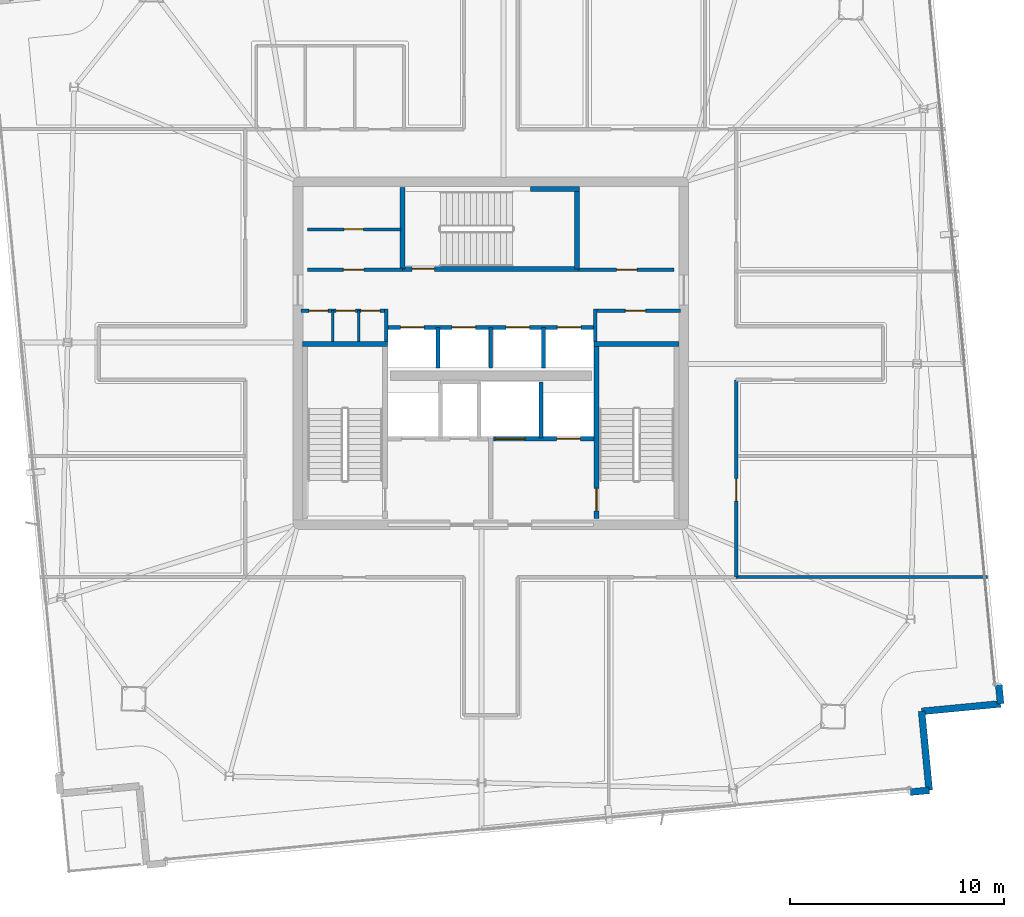
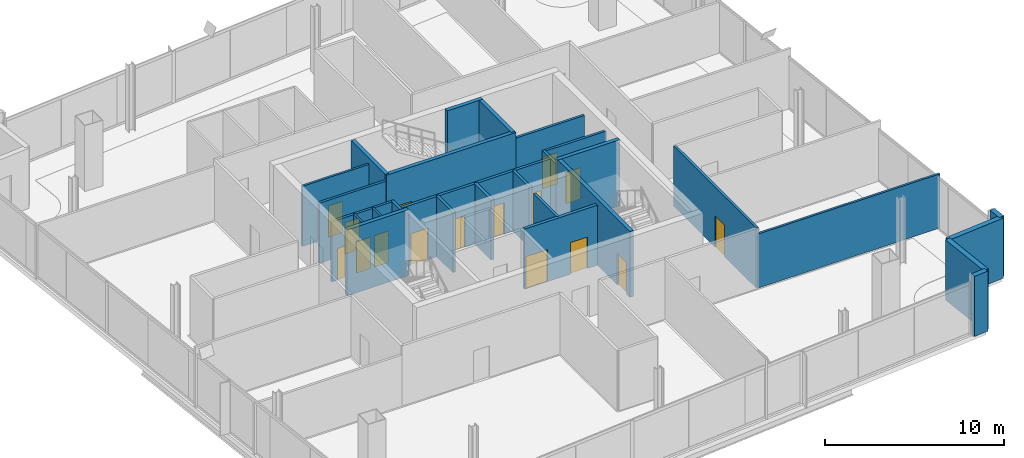
# One storey, part 19 of 24: 28 walls, 16 doors, 16 openings.
"""IFC4 building model written with IfcOpenShell, lengths in metres."""

from ifc_helpers import new_model, si_unit, direction, frame, frame_2d, origin, place, context, subcontext, project, spatial, rectangle, extrude, material, layer, layer_set, type_object, element, fill, save


model = new_model("IFC4")

# Units and contexts
model_context = context("Model", 3, precision=1e-05, world=origin(), true_north=direction((0.0, 1.0)))
body_context = subcontext(model_context, "Body", "Model", "MODEL_VIEW")
ifc_project = project(units=[si_unit("LENGTHUNIT", "METRE"), si_unit("AREAUNIT", "SQUARE_METRE"), si_unit("VOLUMEUNIT", "CUBIC_METRE"), si_unit("PLANEANGLEUNIT", "RADIAN"), si_unit("MASSUNIT", "GRAM", prefix="KILO")], contexts=[model_context])

# Site, building, storey
site_placement = place(None, origin())
site = spatial("IfcSite", under=ifc_project, at=site_placement, CompositionType="ELEMENT")
building_placement = place(site_placement, origin())
building = spatial("IfcBuilding", under=site, at=building_placement, Name="Haldenkirk Collegiate Tower", CompositionType="ELEMENT")
storey_placement = place(building_placement, frame((0.0, 0.0, 347.699951171875)))
storey = spatial("IfcBuildingStorey", under=building, at=storey_placement, Name="L88", CompositionType="ELEMENT", Elevation=347.699951171875)

# Walls
ifc_material_1 = material(Name="Precast concrete f'c 40 MPa", Category="concrete")
ifc_layer_1 = layer(ifc_material_1, 0.320068359375)
ifc_layer_set_1 = layer_set([ifc_layer_1], Name="Precast concrete f'c 40 MPa")
wall_type_1 = type_object("IfcWallType", Name="WL-EXT-TWR-320", PredefinedType="STANDARD", material=ifc_layer_set_1)
for number, where, z_axis, x_axis, name in (
    (1, (59.701416015625, 10.531005859375, 0.0), (0.0, 0.0, 1.0), (0.094962739077, -0.995480827634, 0.0), "L88 precast corner pier SR"),
    (2, (56.454833984375, 5.6005859375, 0.0), (0.0, 0.0, 1.0), (-0.995455142934, -0.095231604026, 0.0), "L88 precast corner pier WL"),
):
    element("IfcWall", number, at=place(storey_placement, frame(where, z_axis=z_axis, x_axis=x_axis)), inside=storey, type_object=wall_type_1, Name=name, PredefinedType="STANDARD", context=body_context, shape_type="SweptSolid", body=[
        extrude(rectangle(XDim=0.89990234375, YDim=0.320068359375, at=frame_2d((0.449951171875, 0.0))), origin(), (0.0, 0.0, 1.0), 4.10009765625),
    ])
wall_1_placement = place(storey_placement, frame((56.103515625, 9.28369140625, 0.0), z_axis=(0.0, 0.0, 1.0), x_axis=(0.094955449528, -0.995481522985, 0.0)))
element("IfcWall", 3, at=wall_1_placement, inside=storey, type_object=wall_type_1, Name="L88 bronze precast notch wall 11", PredefinedType="STANDARD", context=body_context, shape_type="SweptSolid", body=[
    extrude(rectangle(XDim=3.69970703125, YDim=0.320068359375, at=frame_2d((1.849853515625, 0.0))), origin(), (0.0, 0.0, 1.0), 4.10009765625),
])
wall_2_placement = place(storey_placement, frame((59.786865234375, 9.63525390625, 0.0), z_axis=(0.0, 0.0, 1.0), x_axis=(-0.995475879086, -0.095014599714, 0.0)))
element("IfcWall", 4, at=wall_2_placement, inside=storey, type_object=wall_type_1, Name="L88 bronze precast notch wall 12", PredefinedType="STANDARD", context=body_context, shape_type="SweptSolid", body=[
    extrude(rectangle(XDim=3.7001953125, YDim=0.320068359375, at=frame_2d((1.85009765625, 0.0))), origin(), (0.0, 0.0, 1.0), 4.10009765625),
])

# Wall, openings, doors
ifc_material_2 = material(Name="Acoustic fire-rated gypsum partition", Category="concrete")
ifc_layer_2 = layer(ifc_material_2, 0.159912109375)
ifc_layer_set_2 = layer_set([ifc_layer_2], Name="Acoustic fire-rated gypsum partition")
wall_type_2 = type_object("IfcWallType", Name="WL-INT-CORR-160", PredefinedType="PARTITIONING", material=ifc_layer_set_2)
wall_3_placement = place(storey_placement, frame((27.14990234375, 27.97998046875, 0.0), z_axis=(0.0, 0.0, 1.0), x_axis=(1.0, 0.0, 0.0)))
wall_3 = element("IfcWall", 5, at=wall_3_placement, inside=storey, type_object=wall_type_2, Name="L88 interior partition IW-L88-VCSW-N", PredefinedType="PARTITIONING", context=body_context, shape_type="SweptSolid", body=[
    extrude(rectangle(XDim=4.050048828125, YDim=0.159912109375, at=frame_2d((2.02490234375, 0.0))), origin(), (0.0, 0.0, 1.0), 4.10009765625),
])
opening_1_placement = place(wall_3_placement, frame((0.360107421875, 0.0, 0.0)))
opening_1 = element("IfcOpeningElement", 6, at=opening_1_placement, cuts=wall_3, Name="Opening D-11", PredefinedType="OPENING", context=body_context, shape_type="SweptSolid", body=[
    extrude(rectangle(XDim=0.89990234375, YDim=2.14990234375, at=frame_2d((0.449951171875, 1.074951171875))), frame((0.0, 0.08984375, 0.0), z_axis=(0.0, -1.0, 0.0), x_axis=(1.0, 0.0, 0.0)), (0.0, 0.0, 1.0), 0.179931640625),
])
opening_2_placement = place(wall_3_placement, frame((1.6298828125, 0.0, 0.0)))
opening_2 = element("IfcOpeningElement", 7, at=opening_2_placement, cuts=wall_3, Name="Opening D-11", PredefinedType="OPENING", context=body_context, shape_type="SweptSolid", body=[
    extrude(rectangle(XDim=0.89990234375, YDim=2.14990234375, at=frame_2d((0.449951171875, 1.074951171875))), frame((0.0, 0.08984375, 0.0), z_axis=(0.0, -1.0, 0.0), x_axis=(1.0, 0.0, 0.0)), (0.0, 0.0, 1.0), 0.179931640625),
])
opening_3_placement = place(wall_3_placement, frame((2.78759765625, 0.0, 0.0)))
opening_3 = element("IfcOpeningElement", 8, at=opening_3_placement, cuts=wall_3, Name="Opening D-11", PredefinedType="OPENING", context=body_context, shape_type="SweptSolid", body=[
    extrude(rectangle(XDim=0.89990234375, YDim=2.14990234375, at=frame_2d((0.449951171875, 1.074951171875))), frame((0.0, 0.08984375, 0.0), z_axis=(0.0, -1.0, 0.0), x_axis=(1.0, 0.0, 0.0)), (0.0, 0.0, 1.0), 0.179931640625),
])
ifc_material_3 = material(Name="Solid-core architectural oak fire door", Category="wood")
ifc_layer_3 = layer(ifc_material_3, 0.06005859375)
ifc_layer_set_3 = layer_set([ifc_layer_3], Name="Solid-core architectural oak fire door")
door_type_1 = type_object("IfcDoorType", Name="DR-INT-FD60-900", OperationType="NOTDEFINED", PredefinedType="DOOR", material=ifc_layer_set_3)
door_1_placement = place(opening_1_placement, origin())
door_1 = element("IfcDoor", 9, at=door_1_placement, inside=storey, type_object=door_type_1, Name="L88 core study booth door", OperationType="SINGLE_SWING_LEFT", OverallHeight=2.14990234375, OverallWidth=0.89990234375, PredefinedType="DOOR", context=body_context, shape_type="SweptSolid", body=[
    extrude(rectangle(XDim=0.89990234375, YDim=2.14990234375, at=frame_2d((0.449951171875, 1.074951171875))), frame((0.0, 0.02490234375, 0.0), z_axis=(0.0, -1.0, 0.0), x_axis=(1.0, 0.0, 0.0)), (0.0, 0.0, 1.0), 0.050048828125),
])
fill(opening_1, door_1)
door_2_placement = place(opening_2_placement, origin())
door_2 = element("IfcDoor", 10, at=door_2_placement, inside=storey, type_object=door_type_1, Name="L88 core cleaners door", OperationType="SINGLE_SWING_RIGHT", OverallHeight=2.14990234375, OverallWidth=0.89990234375, PredefinedType="DOOR", context=body_context, shape_type="SweptSolid", body=[
    extrude(rectangle(XDim=0.89990234375, YDim=2.14990234375, at=frame_2d((0.449951171875, 1.074951171875))), frame((0.0, 0.02490234375, 0.0), z_axis=(0.0, -1.0, 0.0), x_axis=(1.0, 0.0, 0.0)), (0.0, 0.0, 1.0), 0.050048828125),
])
fill(opening_2, door_2)
door_3_placement = place(opening_3_placement, origin())
door_3 = element("IfcDoor", 11, at=door_3_placement, inside=storey, type_object=door_type_1, Name="L88 core stationery door", OperationType="SINGLE_SWING_LEFT", OverallHeight=2.14990234375, OverallWidth=0.89990234375, PredefinedType="DOOR", context=body_context, shape_type="SweptSolid", body=[
    extrude(rectangle(XDim=0.89990234375, YDim=2.14990234375, at=frame_2d((0.449951171875, 1.074951171875))), frame((0.0, 0.02490234375, 0.0), z_axis=(0.0, -1.0, 0.0), x_axis=(1.0, 0.0, 0.0)), (0.0, 0.0, 1.0), 0.050048828125),
])
fill(opening_3, door_3)

# Wall
wall_4_placement = place(storey_placement, frame((31.1201171875, 26.5400390625, 0.0), z_axis=(0.0, 0.0, 1.0), x_axis=(0.0, 1.0, 0.0)))
element("IfcWall", 12, at=wall_4_placement, inside=storey, type_object=wall_type_2, Name="L88 interior partition IW-L88-VCSW-E", PredefinedType="PARTITIONING", context=body_context, shape_type="SweptSolid", body=[
    extrude(rectangle(XDim=1.510009765625, YDim=0.159912109375, at=frame_2d((0.7548828125, 0.0))), origin(), (0.0, 0.0, 1.0), 4.10009765625),
])

# Wall, opening, door
wall_5_placement = place(storey_placement, frame((40.800048828125, 27.97998046875, 0.0), z_axis=(0.0, 0.0, 1.0), x_axis=(1.0, 0.0, 0.0)))
wall_5 = element("IfcWall", 13, at=wall_5_placement, inside=storey, type_object=wall_type_2, Name="L88 interior partition IW-L88-VCSE-N", PredefinedType="PARTITIONING", context=body_context, shape_type="SweptSolid", body=[
    extrude(rectangle(XDim=4.050048828125, YDim=0.159912109375, at=frame_2d((2.02490234375, 0.0))), origin(), (0.0, 0.0, 1.0), 4.10009765625),
])
opening_4_placement = place(wall_5_placement, frame((1.47509765625, 0.0, 0.0)))
opening_4 = element("IfcOpeningElement", 14, at=opening_4_placement, cuts=wall_5, Name="Opening D-10", PredefinedType="OPENING", context=body_context, shape_type="SweptSolid", body=[
    extrude(rectangle(XDim=0.949951171875, YDim=2.14990234375, at=frame_2d((0.47509765625, 1.074951171875))), frame((0.0, 0.08984375, 0.0), z_axis=(0.0, -1.0, 0.0), x_axis=(1.0, 0.0, 0.0)), (0.0, 0.0, 1.0), 0.179931640625),
])
ifc_layer_4 = layer(ifc_material_3, 0.06005859375)
ifc_layer_set_4 = layer_set([ifc_layer_4], Name="Solid-core architectural oak fire door")
door_type_2 = type_object("IfcDoorType", Name="DR-INT-FD60-950", OperationType="NOTDEFINED", PredefinedType="DOOR", material=ifc_layer_set_4)
door_4_placement = place(opening_4_placement, origin())
door_4 = element("IfcDoor", 15, at=door_4_placement, inside=storey, type_object=door_type_2, Name="L88 core archive vault door", OperationType="SINGLE_SWING_RIGHT", OverallHeight=2.14990234375, OverallWidth=0.949951171875, PredefinedType="DOOR", context=body_context, shape_type="SweptSolid", body=[
    extrude(rectangle(XDim=0.949951171875, YDim=2.14990234375, at=frame_2d((0.47509765625, 1.074951171875))), frame((0.0, 0.02490234375, 0.0), z_axis=(0.0, -1.0, 0.0), x_axis=(1.0, 0.0, 0.0)), (0.0, 0.0, 1.0), 0.050048828125),
])
fill(opening_4, door_4)

# Wall
wall_6_placement = place(storey_placement, frame((40.8798828125, 26.5400390625, 0.0), z_axis=(0.0, 0.0, 1.0), x_axis=(0.0, 1.0, 0.0)))
element("IfcWall", 16, at=wall_6_placement, inside=storey, type_object=wall_type_2, Name="L88 interior partition IW-L88-VCSE-W", PredefinedType="PARTITIONING", context=body_context, shape_type="SweptSolid", body=[
    extrude(rectangle(XDim=1.510009765625, YDim=0.159912109375, at=frame_2d((0.7548828125, 0.0))), origin(), (0.0, 0.0, 1.0), 4.10009765625),
])

# Wall, opening, door
wall_7_placement = place(storey_placement, frame((27.449951171875, 29.89990234375, 0.0), z_axis=(0.0, 0.0, 1.0), x_axis=(1.0, 0.0, 0.0)))
wall_7 = element("IfcWall", 17, at=wall_7_placement, inside=storey, type_object=wall_type_2, Name="L88 interior partition IW-L88-PLS", PredefinedType="PARTITIONING", context=body_context, shape_type="SweptSolid", body=[
    extrude(rectangle(XDim=4.429931640625, YDim=0.159912109375, at=frame_2d((2.21484375, 0.0))), origin(), (0.0, 0.0, 1.0), 4.10009765625),
])
opening_5_placement = place(wall_7_placement, frame((1.675048828125, 0.0, 0.0)))
opening_5 = element("IfcOpeningElement", 18, at=opening_5_placement, cuts=wall_7, Name="Opening D-10", PredefinedType="OPENING", context=body_context, shape_type="SweptSolid", body=[
    extrude(rectangle(XDim=0.949951171875, YDim=2.14990234375, at=frame_2d((0.47509765625, 1.074951171875))), frame((0.0, 0.08984375, 0.0), z_axis=(0.0, -1.0, 0.0), x_axis=(1.0, 0.0, 0.0)), (0.0, 0.0, 1.0), 0.179931640625),
])
door_5_placement = place(opening_5_placement, origin())
door_5 = element("IfcDoor", 19, at=door_5_placement, inside=storey, type_object=door_type_2, Name="L88 consultation door", OperationType="SINGLE_SWING_LEFT", OverallHeight=2.14990234375, OverallWidth=0.949951171875, PredefinedType="DOOR", context=body_context, shape_type="SweptSolid", body=[
    extrude(rectangle(XDim=0.949951171875, YDim=2.14990234375, at=frame_2d((0.47509765625, 1.074951171875))), frame((0.0, 0.02490234375, 0.0), z_axis=(0.0, -1.0, 0.0), x_axis=(1.0, 0.0, 0.0)), (0.0, 0.0, 1.0), 0.050048828125),
])
fill(opening_5, door_5)

wall_8_placement = place(storey_placement, frame((40.1201171875, 29.89990234375, 0.0), z_axis=(0.0, 0.0, 1.0), x_axis=(1.0, 0.0, 0.0)))
wall_8 = element("IfcWall", 20, at=wall_8_placement, inside=storey, type_object=wall_type_2, Name="L88 interior partition IW-L88-PMS", PredefinedType="PARTITIONING", context=body_context, shape_type="SweptSolid", body=[
    extrude(rectangle(XDim=4.429931640625, YDim=0.159912109375, at=frame_2d((2.21484375, 0.0))), origin(), (0.0, 0.0, 1.0), 4.10009765625),
])
opening_6_placement = place(wall_8_placement, frame((1.7548828125, 0.0, 0.0)))
opening_6 = element("IfcOpeningElement", 21, at=opening_6_placement, cuts=wall_8, Name="Opening D-10", PredefinedType="OPENING", context=body_context, shape_type="SweptSolid", body=[
    extrude(rectangle(XDim=0.949951171875, YDim=2.14990234375, at=frame_2d((0.47509765625, 1.074951171875))), frame((0.0, 0.08984375, 0.0), z_axis=(0.0, -1.0, 0.0), x_axis=(1.0, 0.0, 0.0)), (0.0, 0.0, 1.0), 0.179931640625),
])
door_6_placement = place(opening_6_placement, origin())
door_6 = element("IfcDoor", 22, at=door_6_placement, inside=storey, type_object=door_type_2, Name="L88 reference archive door", OperationType="SINGLE_SWING_LEFT", OverallHeight=2.14990234375, OverallWidth=0.949951171875, PredefinedType="DOOR", context=body_context, shape_type="SweptSolid", body=[
    extrude(rectangle(XDim=0.949951171875, YDim=2.14990234375, at=frame_2d((0.47509765625, 1.074951171875))), frame((0.0, 0.02490234375, 0.0), z_axis=(0.0, -1.0, 0.0), x_axis=(1.0, 0.0, 0.0)), (0.0, 0.0, 1.0), 0.050048828125),
])
fill(opening_6, door_6)

wall_9_placement = place(storey_placement, frame((47.449951171875, 15.550048828125, 0.0), z_axis=(0.0, 0.0, 1.0), x_axis=(0.0, 1.0, 0.0)))
wall_9 = element("IfcWall", 23, at=wall_9_placement, inside=storey, type_object=wall_type_2, Name="L88 interior partition IW-L88-CE1", PredefinedType="PARTITIONING", context=body_context, shape_type="SweptSolid", body=[
    extrude(rectangle(XDim=9.199951171875, YDim=0.159912109375, at=frame_2d((4.60009765625, 0.0))), origin(), (0.0, 0.0, 1.0), 4.10009765625),
])
opening_7_placement = place(wall_9_placement, frame((3.54296875, 0.0, 0.0)))
opening_7 = element("IfcOpeningElement", 24, at=opening_7_placement, cuts=wall_9, Name="Opening D-09", PredefinedType="OPENING", context=body_context, shape_type="SweptSolid", body=[
    extrude(rectangle(XDim=1.050048828125, YDim=2.14990234375, at=frame_2d((0.52490234375, 1.074951171875))), frame((0.0, 0.08984375, 0.0), z_axis=(0.0, -1.0, 0.0), x_axis=(1.0, 0.0, 0.0)), (0.0, 0.0, 1.0), 0.179931640625),
])
ifc_layer_5 = layer(ifc_material_3, 0.06005859375)
ifc_layer_set_5 = layer_set([ifc_layer_5], Name="Solid-core architectural oak fire door")
door_type_3 = type_object("IfcDoorType", Name="DR-INT-FD60-1050", OperationType="NOTDEFINED", PredefinedType="DOOR", material=ifc_layer_set_5)
door_7_placement = place(opening_7_placement, origin())
door_7 = element("IfcDoor", 25, at=door_7_placement, inside=storey, type_object=door_type_3, Name="L88 Campus Design Shop 8 door", OperationType="SINGLE_SWING_RIGHT", OverallHeight=2.14990234375, OverallWidth=1.050048828125, PredefinedType="DOOR", context=body_context, shape_type="SweptSolid", body=[
    extrude(rectangle(XDim=1.050048828125, YDim=2.14990234375, at=frame_2d((0.52490234375, 1.074951171875))), frame((0.0, 0.02490234375, 0.0), z_axis=(0.0, -1.0, 0.0), x_axis=(1.0, 0.0, 0.0)), (0.0, 0.0, 1.0), 0.050048828125),
])
fill(opening_7, door_7)

ifc_layer_6 = layer(ifc_material_2, 0.139892578125)
ifc_layer_set_6 = layer_set([ifc_layer_6], Name="Acoustic fire-rated gypsum partition")
wall_type_3 = type_object("IfcWallType", Name="WL-INT-DIV-140", PredefinedType="PARTITIONING", material=ifc_layer_set_6)
wall_10_placement = place(storey_placement, frame((27.449951171875, 31.780029296875, 0.0), z_axis=(0.0, 0.0, 1.0), x_axis=(1.0, 0.0, 0.0)))
wall_10 = element("IfcWall", 26, at=wall_10_placement, inside=storey, type_object=wall_type_3, Name="L88 interior partition IW-L88-PLDIVH", PredefinedType="PARTITIONING", context=body_context, shape_type="SweptSolid", body=[
    extrude(rectangle(XDim=4.35009765625, YDim=0.139892578125, at=frame_2d((2.175048828125, 0.0))), origin(), (0.0, 0.0, 1.0), 4.10009765625),
])
opening_8_placement = place(wall_10_placement, frame((1.699951171875, 0.0, 0.0)))
opening_8 = element("IfcOpeningElement", 27, at=opening_8_placement, cuts=wall_10, Name="Opening D-13", PredefinedType="OPENING", context=body_context, shape_type="SweptSolid", body=[
    extrude(rectangle(XDim=0.89990234375, YDim=2.14990234375, at=frame_2d((0.449951171875, 1.074951171875))), frame((0.0, 0.079833984375, 0.0), z_axis=(0.0, -1.0, 0.0), x_axis=(1.0, 0.0, 0.0)), (0.0, 0.0, 1.0), 0.159912109375),
])
ifc_layer_7 = layer(ifc_material_3, 0.06005859375)
ifc_layer_set_7 = layer_set([ifc_layer_7], Name="Solid-core architectural oak fire door")
door_type_4 = type_object("IfcDoorType", Name="DR-INT-STD-900", OperationType="NOTDEFINED", PredefinedType="DOOR", material=ifc_layer_set_7)
door_8_placement = place(opening_8_placement, origin())
door_8 = element("IfcDoor", 28, at=door_8_placement, inside=storey, type_object=door_type_4, Name="L88 folio vault door", OperationType="SINGLE_SWING_RIGHT", OverallHeight=2.14990234375, OverallWidth=0.89990234375, PredefinedType="DOOR", context=body_context, shape_type="SweptSolid", body=[
    extrude(rectangle(XDim=0.89990234375, YDim=2.14990234375, at=frame_2d((0.449951171875, 1.074951171875))), frame((0.0, 0.02490234375, 0.0), z_axis=(0.0, -1.0, 0.0), x_axis=(1.0, 0.0, 0.0)), (0.0, 0.0, 1.0), 0.050048828125),
])
fill(opening_8, door_8)

# Walls
wall_11_placement = place(storey_placement, frame((47.449951171875, 15.550048828125, 0.0), z_axis=(0.0, 0.0, 1.0), x_axis=(1.0, 0.0, 0.0)))
element("IfcWall", 29, at=wall_11_placement, inside=storey, type_object=wall_type_3, Name="L88 interior partition IW-L88-BES", PredefinedType="PARTITIONING", context=body_context, shape_type="SweptSolid", body=[
    extrude(rectangle(XDim=11.732421875, YDim=0.139892578125, at=frame_2d((5.8662109375, 0.0))), origin(), (0.0, 0.0, 1.0), 3.68896484375),
])
ifc_material_4 = material(Name="Fire-rated gypsum shaftboard assembly", Category="concrete")
ifc_layer_8 = layer(ifc_material_4, 0.179931640625)
ifc_layer_set_8 = layer_set([ifc_layer_8], Name="Fire-rated gypsum shaftboard assembly")
wall_type_4 = type_object("IfcWallType", Name="WL-INT-SHAFT-180", PredefinedType="PARTITIONING", material=ifc_layer_set_8)
wall_12_placement = place(storey_placement, frame((38.35009765625, 22.050048828125, 0.0), z_axis=(0.0, 0.0, 1.0), x_axis=(0.0, 1.0, 0.0)))
element("IfcWall", 30, at=wall_12_placement, inside=storey, type_object=wall_type_4, Name="L88 interior partition IW-L88-GL1E", PredefinedType="PARTITIONING", context=body_context, shape_type="SweptSolid", body=[
    extrude(rectangle(XDim=2.599853515625, YDim=0.179931640625, at=frame_2d((1.2998046875, 0.0))), origin(), (0.0, 0.0, 1.0), 4.10009765625),
])

# Wall, openings, doors
wall_13_placement = place(storey_placement, frame((31.199951171875, 27.199951171875, 0.0), z_axis=(0.0, 0.0, 1.0), x_axis=(1.0, 0.0, 0.0)))
wall_13 = element("IfcWall", 31, at=wall_13_placement, inside=storey, type_object=wall_type_4, Name="L88 interior partition IW-L88-PHN", PredefinedType="PARTITIONING", context=body_context, shape_type="SweptSolid", body=[
    extrude(rectangle(XDim=9.60009765625, YDim=0.179931640625, at=frame_2d((4.800048828125, 0.0))), origin(), (0.0, 0.0, 1.0), 4.10009765625),
])
opening_9_placement = place(wall_13_placement, frame((0.590087890625, 0.0, 0.0)))
opening_9 = element("IfcOpeningElement", 32, at=opening_9_placement, cuts=wall_13, Name="Opening LD-11", PredefinedType="OPENING", context=body_context, shape_type="SweptSolid", body=[
    extrude(rectangle(XDim=1.10009765625, YDim=2.14990234375, at=frame_2d((0.550048828125, 1.074951171875))), frame((0.0, 0.099853515625, 0.0), z_axis=(0.0, -1.0, 0.0), x_axis=(1.0, 0.0, 0.0)), (0.0, 0.0, 1.0), 0.199951171875),
])
opening_10_placement = place(wall_13_placement, frame((2.989990234375, 0.0, 0.0)))
opening_10 = element("IfcOpeningElement", 33, at=opening_10_placement, cuts=wall_13, Name="Opening LD-11", PredefinedType="OPENING", context=body_context, shape_type="SweptSolid", body=[
    extrude(rectangle(XDim=1.10009765625, YDim=2.14990234375, at=frame_2d((0.550048828125, 1.074951171875))), frame((0.0, 0.099853515625, 0.0), z_axis=(0.0, -1.0, 0.0), x_axis=(1.0, 0.0, 0.0)), (0.0, 0.0, 1.0), 0.199951171875),
])
opening_11_placement = place(wall_13_placement, frame((5.510009765625, 0.0, 0.0)))
opening_11 = element("IfcOpeningElement", 34, at=opening_11_placement, cuts=wall_13, Name="Opening LD-11", PredefinedType="OPENING", context=body_context, shape_type="SweptSolid", body=[
    extrude(rectangle(XDim=1.10009765625, YDim=2.14990234375, at=frame_2d((0.550048828125, 1.074951171875))), frame((0.0, 0.099853515625, 0.0), z_axis=(0.0, -1.0, 0.0), x_axis=(1.0, 0.0, 0.0)), (0.0, 0.0, 1.0), 0.199951171875),
])
opening_12_placement = place(wall_13_placement, frame((7.909912109375, 0.0, 0.0)))
opening_12 = element("IfcOpeningElement", 35, at=opening_12_placement, cuts=wall_13, Name="Opening LD-11", PredefinedType="OPENING", context=body_context, shape_type="SweptSolid", body=[
    extrude(rectangle(XDim=1.10009765625, YDim=2.14990234375, at=frame_2d((0.550048828125, 1.074951171875))), frame((0.0, 0.099853515625, 0.0), z_axis=(0.0, -1.0, 0.0), x_axis=(1.0, 0.0, 0.0)), (0.0, 0.0, 1.0), 0.199951171875),
])
ifc_material_5 = material(Name="Brushed architectural stainless steel", Category="steel")
ifc_layer_9 = layer(ifc_material_5, 0.06005859375)
ifc_layer_set_9 = layer_set([ifc_layer_9], Name="Brushed architectural stainless steel")
door_type_5 = type_object("IfcDoorType", Name="LD-PASS-1100", OperationType="NOTDEFINED", PredefinedType="DOOR", material=ifc_layer_set_9)
door_9_placement = place(opening_9_placement, origin())
door_9 = element("IfcDoor", 36, at=door_9_placement, inside=storey, type_object=door_type_5, Name="L88 Elevator PH1 sliding landing door", OperationType="SLIDING_TO_LEFT", OverallHeight=2.14990234375, OverallWidth=1.10009765625, PredefinedType="DOOR", context=body_context, shape_type="SweptSolid", body=[
    extrude(rectangle(XDim=1.10009765625, YDim=2.14990234375, at=frame_2d((0.550048828125, 1.074951171875))), frame((0.0, 0.02490234375, 0.0), z_axis=(0.0, -1.0, 0.0), x_axis=(1.0, 0.0, 0.0)), (0.0, 0.0, 1.0), 0.050048828125),
])
fill(opening_9, door_9)
door_10_placement = place(opening_10_placement, origin())
door_10 = element("IfcDoor", 37, at=door_10_placement, inside=storey, type_object=door_type_5, Name="L88 Elevator PH2 sliding landing door", OperationType="SLIDING_TO_LEFT", OverallHeight=2.14990234375, OverallWidth=1.10009765625, PredefinedType="DOOR", context=body_context, shape_type="SweptSolid", body=[
    extrude(rectangle(XDim=1.10009765625, YDim=2.14990234375, at=frame_2d((0.550048828125, 1.074951171875))), frame((0.0, 0.02490234375, 0.0), z_axis=(0.0, -1.0, 0.0), x_axis=(1.0, 0.0, 0.0)), (0.0, 0.0, 1.0), 0.050048828125),
])
fill(opening_10, door_10)
door_11_placement = place(opening_11_placement, origin())
door_11 = element("IfcDoor", 38, at=door_11_placement, inside=storey, type_object=door_type_5, Name="L88 Elevator PH3 sliding landing door", OperationType="SLIDING_TO_LEFT", OverallHeight=2.14990234375, OverallWidth=1.10009765625, PredefinedType="DOOR", context=body_context, shape_type="SweptSolid", body=[
    extrude(rectangle(XDim=1.10009765625, YDim=2.14990234375, at=frame_2d((0.550048828125, 1.074951171875))), frame((0.0, 0.02490234375, 0.0), z_axis=(0.0, -1.0, 0.0), x_axis=(1.0, 0.0, 0.0)), (0.0, 0.0, 1.0), 0.050048828125),
])
fill(opening_11, door_11)
door_12_placement = place(opening_12_placement, origin())
door_12 = element("IfcDoor", 39, at=door_12_placement, inside=storey, type_object=door_type_5, Name="L88 Elevator PH4 sliding landing door", OperationType="SLIDING_TO_LEFT", OverallHeight=2.14990234375, OverallWidth=1.10009765625, PredefinedType="DOOR", context=body_context, shape_type="SweptSolid", body=[
    extrude(rectangle(XDim=1.10009765625, YDim=2.14990234375, at=frame_2d((0.550048828125, 1.074951171875))), frame((0.0, 0.02490234375, 0.0), z_axis=(0.0, -1.0, 0.0), x_axis=(1.0, 0.0, 0.0)), (0.0, 0.0, 1.0), 0.050048828125),
])
fill(opening_12, door_12)

# Walls
for number, where, z_axis, x_axis, name in (
    (40, (33.5400390625, 25.300048828125, 0.0), (0.0, 0.0, 1.0), (0.0, 1.0, 0.0), "L88 interior partition IW-L88-PHV1"),
    (41, (36.0, 25.300048828125, 0.0), (0.0, 0.0, 1.0), (0.0, 1.0, 0.0), "L88 interior partition IW-L88-PHV2"),
    (42, (38.4599609375, 25.300048828125, 0.0), (0.0, 0.0, 1.0), (0.0, 1.0, 0.0), "L88 interior partition IW-L88-PHV3"),
):
    element("IfcWall", number, at=place(storey_placement, frame(where, z_axis=z_axis, x_axis=x_axis)), inside=storey, type_object=wall_type_4, Name=name, PredefinedType="PARTITIONING", context=body_context, shape_type="SweptSolid", body=[
        extrude(rectangle(XDim=1.89990234375, YDim=0.179931640625, at=frame_2d((0.949951171875, 0.0))), origin(), (0.0, 0.0, 1.0), 4.10009765625),
    ])

# Wall, openings, doors
ifc_layer_10 = layer(ifc_material_4, 0.199951171875)
ifc_layer_set_10 = layer_set([ifc_layer_10], Name="Fire-rated gypsum shaftboard assembly")
wall_type_5 = type_object("IfcWallType", Name="WL-INT-SHAFT-200", PredefinedType="PARTITIONING", material=ifc_layer_set_10)
wall_14_placement = place(storey_placement, frame((36.1201171875, 22.0, 0.0), z_axis=(0.0, 0.0, 1.0), x_axis=(1.0, 0.0, 0.0)))
wall_14 = element("IfcWall", 43, at=wall_14_placement, inside=storey, type_object=wall_type_5, Name="L88 interior partition IW-L88-FFL2N", PredefinedType="PARTITIONING", context=body_context, shape_type="SweptSolid", body=[
    extrude(rectangle(XDim=4.68994140625, YDim=0.199951171875, at=frame_2d((2.344970703125, 0.0))), origin(), (0.0, 0.0, 1.0), 4.10009765625),
])
opening_13_placement = place(wall_14_placement, frame((2.955078125, 0.0, 0.0)))
opening_13 = element("IfcOpeningElement", 44, at=opening_13_placement, cuts=wall_14, Name="Opening LD-12", PredefinedType="OPENING", context=body_context, shape_type="SweptSolid", body=[
    extrude(rectangle(XDim=1.10009765625, YDim=2.14990234375, at=frame_2d((0.550048828125, 1.074951171875))), frame((0.0, 0.10986328125, 0.0), z_axis=(0.0, -1.0, 0.0), x_axis=(1.0, 0.0, 0.0)), (0.0, 0.0, 1.0), 0.219970703125),
])
opening_14_placement = place(wall_14_placement, frame((0.080078125, 0.0, 0.0)))
opening_14 = element("IfcOpeningElement", 45, at=opening_14_placement, cuts=wall_14, Name="Opening LD-13", PredefinedType="OPENING", context=body_context, shape_type="SweptSolid", body=[
    extrude(rectangle(XDim=1.39990234375, YDim=2.199951171875, at=frame_2d((0.699951171875, 1.10009765625))), frame((0.0, 0.10986328125, 0.0), z_axis=(0.0, -1.0, 0.0), x_axis=(1.0, 0.0, 0.0)), (0.0, 0.0, 1.0), 0.219970703125),
])
ifc_layer_11 = layer(ifc_material_5, 0.06005859375)
ifc_layer_set_11 = layer_set([ifc_layer_11], Name="Brushed architectural stainless steel")
door_type_6 = type_object("IfcDoorType", Name="LD-FIRE-1100", OperationType="NOTDEFINED", PredefinedType="DOOR", material=ifc_layer_set_11)
door_13_placement = place(opening_13_placement, origin())
door_13 = element("IfcDoor", 46, at=door_13_placement, inside=storey, type_object=door_type_6, Name="L88 Elevator FL2 sliding landing door", OperationType="SLIDING_TO_LEFT", OverallHeight=2.14990234375, OverallWidth=1.10009765625, PredefinedType="DOOR", context=body_context, shape_type="SweptSolid", body=[
    extrude(rectangle(XDim=1.10009765625, YDim=2.14990234375, at=frame_2d((0.550048828125, 1.074951171875))), frame((0.0, 0.02490234375, 0.0), z_axis=(0.0, -1.0, 0.0), x_axis=(1.0, 0.0, 0.0)), (0.0, 0.0, 1.0), 0.050048828125),
])
fill(opening_13, door_13)
ifc_layer_12 = layer(ifc_material_5, 0.06005859375)
ifc_layer_set_12 = layer_set([ifc_layer_12], Name="Brushed architectural stainless steel")
door_type_7 = type_object("IfcDoorType", Name="LD-GOODS-1400", OperationType="NOTDEFINED", PredefinedType="DOOR", material=ifc_layer_set_12)
door_14_placement = place(opening_14_placement, origin())
door_14 = element("IfcDoor", 47, at=door_14_placement, inside=storey, type_object=door_type_7, Name="L88 Elevator GL1 sliding landing door", OperationType="SLIDING_TO_LEFT", OverallHeight=2.199951171875, OverallWidth=1.39990234375, PredefinedType="DOOR", context=body_context, shape_type="SweptSolid", body=[
    extrude(rectangle(XDim=1.39990234375, YDim=2.199951171875, at=frame_2d((0.699951171875, 1.10009765625))), frame((0.0, 0.02490234375, 0.0), z_axis=(0.0, -1.0, 0.0), x_axis=(1.0, 0.0, 0.0)), (0.0, 0.0, 1.0), 0.050048828125),
])
fill(opening_14, door_14)

# Walls
ifc_layer_13 = layer(ifc_material_2, 0.1201171875)
ifc_layer_set_13 = layer_set([ifc_layer_13], Name="Acoustic fire-rated gypsum partition")
wall_type_6 = type_object("IfcWallType", Name="WL-INT-WET-120", PredefinedType="PARTITIONING", material=ifc_layer_set_13)
for number, where, z_axis, x_axis, name in (
    (48, (28.6201171875, 26.5400390625, 0.0), (0.0, 0.0, 1.0), (0.0, 1.0, 0.0), "L88 interior partition IW-L88-VCSW-M1"),
    (49, (29.840087890625, 26.5400390625, 0.0), (0.0, 0.0, 1.0), (0.0, 1.0, 0.0), "L88 interior partition IW-L88-VCSW-M2"),
):
    element("IfcWall", number, at=place(storey_placement, frame(where, z_axis=z_axis, x_axis=x_axis)), inside=storey, type_object=wall_type_6, Name=name, PredefinedType="PARTITIONING", context=body_context, shape_type="SweptSolid", body=[
        extrude(rectangle(XDim=1.43994140625, YDim=0.1201171875, at=frame_2d((0.719970703125, 0.0))), origin(), (0.0, 0.0, 1.0), 4.10009765625),
    ])
ifc_material_6 = material(Name="Concrete f'c 55 MPa", Category="concrete")
ifc_layer_14 = layer(ifc_material_6, 0.239990234375)
ifc_layer_set_14 = layer_set([ifc_layer_14], Name="Concrete f'c 55 MPa")
wall_type_7 = type_object("IfcWallType", Name="WL-SHAFT-240", PredefinedType="SHEAR", material=ifc_layer_set_14)
wall_15_placement = place(storey_placement, frame((27.2099609375, 26.419921875, 0.0), z_axis=(0.0, 0.0, 1.0), x_axis=(1.0, 0.0, 0.0)))
element("IfcWall", 50, at=wall_15_placement, inside=storey, type_object=wall_type_7, Name="L88 stair shaft shear wall SW-L88-ST1N", PredefinedType="SHEAR", context=body_context, shape_type="SweptSolid", body=[
    extrude(rectangle(XDim=3.97998046875, YDim=0.239990234375, at=frame_2d((1.989990234375, 0.0))), origin(), (0.0, 0.0, 1.0), 4.5),
])

# Wall, opening, door
wall_16_placement = place(storey_placement, frame((40.929931640625, 18.280029296875, 0.0), z_axis=(0.0, 0.0, 1.0), x_axis=(0.0, 1.0, 0.0)))
wall_16 = element("IfcWall", 51, at=wall_16_placement, inside=storey, type_object=wall_type_7, Name="L88 stair shaft shear wall SW-L88-ST2W", PredefinedType="SHEAR", context=body_context, shape_type="SweptSolid", body=[
    extrude(rectangle(XDim=8.260009765625, YDim=0.239990234375, at=frame_2d((4.1298828125, 0.0))), origin(), (0.0, 0.0, 1.0), 4.5),
])
opening_15_placement = place(wall_16_placement, frame((0.364990234375, 0.0, 0.0)))
opening_15 = element("IfcOpeningElement", 52, at=opening_15_placement, cuts=wall_16, Name="Opening D-01", PredefinedType="OPENING", context=body_context, shape_type="SweptSolid", body=[
    extrude(rectangle(XDim=1.050048828125, YDim=2.14990234375, at=frame_2d((0.52490234375, 1.074951171875))), frame((0.0, 0.1298828125, 0.0), z_axis=(0.0, -1.0, 0.0), x_axis=(1.0, 0.0, 0.0)), (0.0, 0.0, 1.0), 0.260009765625),
])
ifc_material_7 = material(Name="Galvanized fire-rated hollow steel door", Category="steel")
ifc_layer_15 = layer(ifc_material_7, 0.06005859375)
ifc_layer_set_15 = layer_set([ifc_layer_15], Name="Galvanized fire-rated hollow steel door")
door_type_8 = type_object("IfcDoorType", Name="DR-STAIR-FD90-1050", OperationType="NOTDEFINED", PredefinedType="DOOR", material=ifc_layer_set_15)
door_15_placement = place(opening_15_placement, origin())
door_15 = element("IfcDoor", 53, at=door_15_placement, inside=storey, type_object=door_type_8, Name="L88 Stair 2 door", OperationType="SINGLE_SWING_RIGHT", OverallHeight=2.14990234375, OverallWidth=1.050048828125, PredefinedType="DOOR", context=body_context, shape_type="SweptSolid", body=[
    extrude(rectangle(XDim=1.050048828125, YDim=2.14990234375, at=frame_2d((0.52490234375, 1.074951171875))), frame((0.0, 0.02490234375, 0.0), z_axis=(0.0, -1.0, 0.0), x_axis=(1.0, 0.0, 0.0)), (0.0, 0.0, 1.0), 0.050048828125),
])
fill(opening_15, door_15)

# Wall
wall_17_placement = place(storey_placement, frame((40.81005859375, 26.419921875, 0.0), z_axis=(0.0, 0.0, 1.0), x_axis=(1.0, 0.0, 0.0)))
element("IfcWall", 54, at=wall_17_placement, inside=storey, type_object=wall_type_7, Name="L88 stair shaft shear wall SW-L88-ST2N", PredefinedType="SHEAR", context=body_context, shape_type="SweptSolid", body=[
    extrude(rectangle(XDim=3.97998046875, YDim=0.239990234375, at=frame_2d((1.989990234375, 0.0))), origin(), (0.0, 0.0, 1.0), 4.5),
])

# Wall, opening, door
wall_18_placement = place(storey_placement, frame((31.760009765625, 29.929931640625, 0.0), z_axis=(0.0, 0.0, 1.0), x_axis=(1.0, 0.0, 0.0)))
wall_18 = element("IfcWall", 55, at=wall_18_placement, inside=storey, type_object=wall_type_7, Name="L88 stair shaft shear wall SW-L88-ST3S", PredefinedType="SHEAR", context=body_context, shape_type="SweptSolid", body=[
    extrude(rectangle(XDim=8.3798828125, YDim=0.239990234375, at=frame_2d((4.18994140625, 0.0))), origin(), (0.0, 0.0, 1.0), 4.5),
])
opening_16_placement = place(wall_18_placement, frame((0.56494140625, 0.0, 0.0)))
opening_16 = element("IfcOpeningElement", 56, at=opening_16_placement, cuts=wall_18, Name="Opening D-01", PredefinedType="OPENING", context=body_context, shape_type="SweptSolid", body=[
    extrude(rectangle(XDim=1.050048828125, YDim=2.14990234375, at=frame_2d((0.52490234375, 1.074951171875))), frame((0.0, 0.1298828125, 0.0), z_axis=(0.0, -1.0, 0.0), x_axis=(1.0, 0.0, 0.0)), (0.0, 0.0, 1.0), 0.260009765625),
])
door_16_placement = place(opening_16_placement, origin())
door_16 = element("IfcDoor", 57, at=door_16_placement, inside=storey, type_object=door_type_8, Name="L88 lift lobby Stair 3 door", OperationType="SINGLE_SWING_RIGHT", OverallHeight=2.14990234375, OverallWidth=1.050048828125, PredefinedType="DOOR", context=body_context, shape_type="SweptSolid", body=[
    extrude(rectangle(XDim=1.050048828125, YDim=2.14990234375, at=frame_2d((0.52490234375, 1.074951171875))), frame((0.0, 0.02490234375, 0.0), z_axis=(0.0, -1.0, 0.0), x_axis=(1.0, 0.0, 0.0)), (0.0, 0.0, 1.0), 0.050048828125),
])
fill(opening_16, door_16)

# Walls
wall_19_placement = place(storey_placement, frame((31.8798828125, 29.929931640625, 0.0), z_axis=(0.0, 0.0, 1.0), x_axis=(0.0, 1.0, 0.0)))
element("IfcWall", 58, at=wall_19_placement, inside=storey, type_object=wall_type_7, Name="L88 stair shaft shear wall SW-L88-ST3W", PredefinedType="SHEAR", context=body_context, shape_type="SweptSolid", body=[
    extrude(rectangle(XDim=3.7900390625, YDim=0.239990234375, at=frame_2d((1.89501953125, 0.0))), origin(), (0.0, 0.0, 1.0), 4.5),
])
wall_20_placement = place(storey_placement, frame((40.02001953125, 29.929931640625, 0.0), z_axis=(0.0, 0.0, 1.0), x_axis=(0.0, 1.0, 0.0)))
element("IfcWall", 59, at=wall_20_placement, inside=storey, type_object=wall_type_7, Name="L88 stair shaft shear wall SW-L88-ST3E", PredefinedType="SHEAR", context=body_context, shape_type="SweptSolid", body=[
    extrude(rectangle(XDim=3.85009765625, YDim=0.239990234375, at=frame_2d((1.925048828125, 0.0))), origin(), (0.0, 0.0, 1.0), 4.5),
])
wall_21_placement = place(storey_placement, frame((37.85009765625, 33.659912109375, 0.0), z_axis=(0.0, 0.0, 1.0), x_axis=(1.0, 0.0, 0.0)))
element("IfcWall", 60, at=wall_21_placement, inside=storey, type_object=wall_type_7, Name="L88 stair shaft shear wall SW-L88-ST3N", PredefinedType="SHEAR", context=body_context, shape_type="SweptSolid", body=[
    extrude(rectangle(XDim=2.289794921875, YDim=0.239990234375, at=frame_2d((1.14501953125, 0.0))), origin(), (0.0, 0.0, 1.0), 4.5),
])

save(model, "model.ifc")
